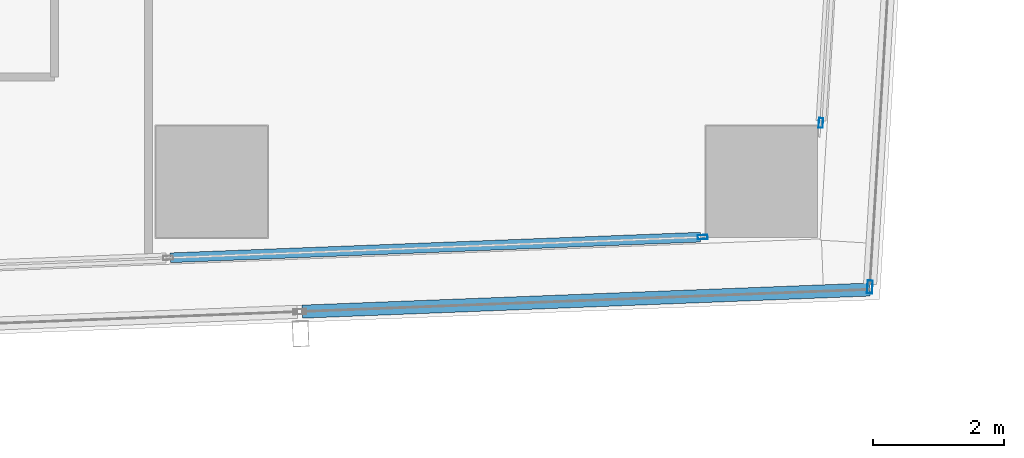
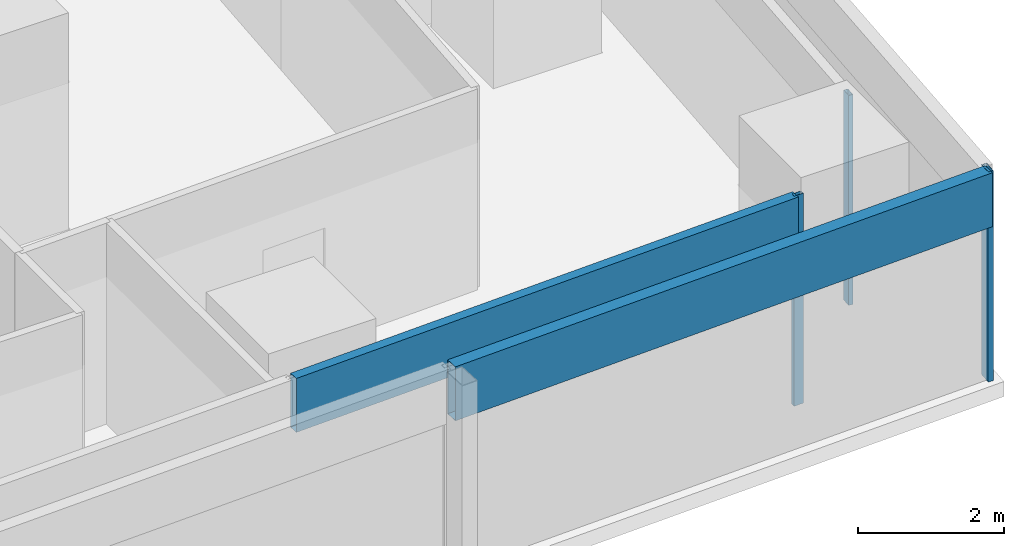
# One storey, part 12 of 40: 5 members, 4 elements without a shape of their own.
"""IFC4 building model written with IfcOpenShell, lengths in metres."""

from ifc_helpers import new_model, si_unit, direction, frame, origin, origin_2d, place, context, subcontext, project, spatial, hollow_rectangle, extrude, material, material_profile, profile_set, type_object, element, aggregate, save


model = new_model("IFC4")

# Units and contexts
model_context = context("Model", 3, precision=1e-05, world=origin(), true_north=direction((0.0, 1.0)))
body_context = subcontext(model_context, "Body", "Model", "MODEL_VIEW")
ifc_project = project(units=[si_unit("LENGTHUNIT", "METRE"), si_unit("AREAUNIT", "SQUARE_METRE"), si_unit("VOLUMEUNIT", "CUBIC_METRE"), si_unit("PLANEANGLEUNIT", "RADIAN"), si_unit("MASSUNIT", "GRAM", prefix="KILO")], contexts=[model_context])

# Site, building, storey
site_placement = place(None, origin())
site = spatial("IfcSite", under=ifc_project, at=site_placement, CompositionType="ELEMENT")
building_placement = place(site_placement, origin())
building = spatial("IfcBuilding", under=site, at=building_placement, Name="Rekha Terrace Tower", CompositionType="ELEMENT")
storey_placement = place(building_placement, frame((0.0, 0.0, 110.300048828125)))
storey = spatial("IfcBuildingStorey", under=building, at=storey_placement, Name="L27", CompositionType="ELEMENT", Elevation=110.300048828125)

# Curtain wall, member
ifc_material_1 = material(Name="Aluminium framing", Category="aluminium")
curtain_wall_type_1 = type_object("IfcCurtainWallType", Name="CW1 double skin inner glazing", PredefinedType="USERDEFINED", material=ifc_material_1)
curtain_wall_1_placement = place(storey_placement, origin())
curtain_wall_1 = element("IfcCurtainWall", 1, at=curtain_wall_1_placement, inside=storey, type_object=curtain_wall_type_1, Name="CW1 double skin inner glazing", ObjectType="DOUBLE SKIN INNER GLAZING", PredefinedType="USERDEFINED")
ifc_material_2 = material(Name="Aluminium mullion section", Category="aluminium")
ifc_material_profile_1 = material_profile(ifc_material_2, hollow_rectangle(XDim=0.06494140625, YDim=0.14990234375, WallThickness=0.00390625, at=origin_2d()), Name="AL RHS 65x150")
ifc_profile_set_1 = profile_set([ifc_material_profile_1], Name="Aluminium mullion section")
member_type_1 = type_object("IfcMemberType", Name="CW1 mullion RHS 65 x 150", PredefinedType="MULLION", material=ifc_profile_set_1)
member_1_placement = place(storey_placement, frame((66.29736328125, 15.95556640625, 0.0), z_axis=(0.0, 0.0, 1.0), x_axis=(-0.038889971345, 0.999243498917, 0.0)))
member_1 = element("IfcMember", 2, at=member_1_placement, type_object=member_type_1, Name="CW1 mullion 6", PredefinedType="MULLION", context=body_context, shape_type="SweptSolid", body=[
    extrude(hollow_rectangle(XDim=0.06494140625, YDim=0.14990234375, WallThickness=0.00390625, at=origin_2d()), origin(), (0.0, 0.0, 1.0), 3.5),
])

curtain_wall_2_placement = place(storey_placement, origin())
curtain_wall_2 = element("IfcCurtainWall", 3, at=curtain_wall_2_placement, inside=storey, type_object=curtain_wall_type_1, Name="CW1 double skin inner glazing", ObjectType="DOUBLE SKIN INNER GLAZING", PredefinedType="USERDEFINED")
member_2_placement = place(storey_placement, frame((68.103515625, 17.69921875, 0.0), z_axis=(0.0, 0.0, 1.0), x_axis=(-0.998127987024, 0.061159803131, 0.0)))
member_2 = element("IfcMember", 4, at=member_2_placement, type_object=member_type_1, Name="CW1 mullion 1", PredefinedType="MULLION", context=body_context, shape_type="SweptSolid", body=[
    extrude(hollow_rectangle(XDim=0.06494140625, YDim=0.14990234375, WallThickness=0.00390625, at=origin_2d()), origin(), (0.0, 0.0, 1.0), 3.5),
])
aggregate(curtain_wall_2, [member_2])

# Member
ifc_material_3 = material(Name="Insulated aluminium spandrel box", Category="aluminium")
ifc_material_profile_2 = material_profile(ifc_material_3, hollow_rectangle(XDim=0.14990234375, YDim=0.89990234375, WallThickness=0.0029296875, at=origin_2d()), Name="AL SPANDREL BOX 150x900")
ifc_profile_set_2 = profile_set([ifc_material_profile_2], Name="Insulated aluminium spandrel box")
member_type_2 = type_object("IfcMemberType", Name="CW1 spandrel transom 150 x 900", PredefinedType="USERDEFINED", material=ifc_profile_set_2)
member_3_placement = place(storey_placement, frame((58.165771484375, 15.63916015625, 3.050048828125), z_axis=(0.999243585207, 0.038887754153, 0.0), x_axis=(-0.038887754153, 0.999243585207, 0.0)))
member_3 = element("IfcMember", 5, at=member_3_placement, type_object=member_type_2, Name="CW1 spandrel transom 5", ObjectType="TRANSOM", PredefinedType="USERDEFINED", context=body_context, shape_type="SweptSolid", body=[
    extrude(hollow_rectangle(XDim=0.14990234375, YDim=0.89990234375, WallThickness=0.0029296875, at=origin_2d()), origin(), (0.0, 0.0, 1.0), 8.10498046875),
])

aggregate(curtain_wall_1, [member_1, member_3])

# Curtain wall, member
curtain_wall_type_2 = type_object("IfcCurtainWallType", Name="CW2 double skin outer glazing", PredefinedType="USERDEFINED", material=ifc_material_1)
curtain_wall_3_placement = place(storey_placement, origin())
curtain_wall_3 = element("IfcCurtainWall", 6, at=curtain_wall_3_placement, inside=storey, type_object=curtain_wall_type_2, Name="CW2 double skin outer glazing", ObjectType="DOUBLE SKIN OUTER GLAZING", PredefinedType="USERDEFINED")
ifc_material_profile_3 = material_profile(ifc_material_2, hollow_rectangle(XDim=0.080078125, YDim=0.199951171875, WallThickness=0.00390625, at=origin_2d()), Name="AL RHS 80x200")
ifc_profile_set_3 = profile_set([ifc_material_profile_3], Name="Aluminium mullion section")
member_type_3 = type_object("IfcMemberType", Name="CW2 mullion RHS 80 x 200", PredefinedType="MULLION", material=ifc_profile_set_3)
member_4_placement = place(storey_placement, frame((68.8515625, 15.194091796875, 0.0), z_axis=(0.0, 0.0, 1.0), x_axis=(-0.998127987024, 0.061159803131, 0.0)))
member_4 = element("IfcMember", 7, at=member_4_placement, type_object=member_type_3, Name="CW2 mullion 1", PredefinedType="MULLION", context=body_context, shape_type="SweptSolid", body=[
    extrude(hollow_rectangle(XDim=0.080078125, YDim=0.199951171875, WallThickness=0.00390625, at=origin_2d()), origin(), (0.0, 0.0, 1.0), 3.5),
])
aggregate(curtain_wall_3, [member_4])

curtain_wall_4_placement = place(storey_placement, origin())
curtain_wall_4 = element("IfcCurtainWall", 8, at=curtain_wall_4_placement, inside=storey, type_object=curtain_wall_type_2, Name="CW2 double skin outer glazing", ObjectType="DOUBLE SKIN OUTER GLAZING", PredefinedType="USERDEFINED")
ifc_material_profile_4 = material_profile(ifc_material_3, hollow_rectangle(XDim=0.199951171875, YDim=0.89990234375, WallThickness=0.0029296875, at=origin_2d()), Name="AL SPANDREL BOX 200x900")
ifc_profile_set_4 = profile_set([ifc_material_profile_4], Name="Insulated aluminium spandrel box")
member_type_4 = type_object("IfcMemberType", Name="CW2 spandrel transom 200 x 900", PredefinedType="USERDEFINED", material=ifc_profile_set_4)
member_5_placement = place(storey_placement, frame((60.18408203125, 14.81689453125, 3.050048828125), z_axis=(0.99924276334, 0.038908866757, 0.0), x_axis=(-0.038908866757, 0.99924276334, 0.0)))
member_5 = element("IfcMember", 9, at=member_5_placement, type_object=member_type_4, Name="CW2 spandrel transom 5", ObjectType="TRANSOM", PredefinedType="USERDEFINED", context=body_context, shape_type="SweptSolid", body=[
    extrude(hollow_rectangle(XDim=0.199951171875, YDim=0.89990234375, WallThickness=0.0029296875, at=origin_2d()), origin(), (0.0, 0.0, 1.0), 8.671630859375),
])
aggregate(curtain_wall_4, [member_5])

save(model, "model.ifc")
